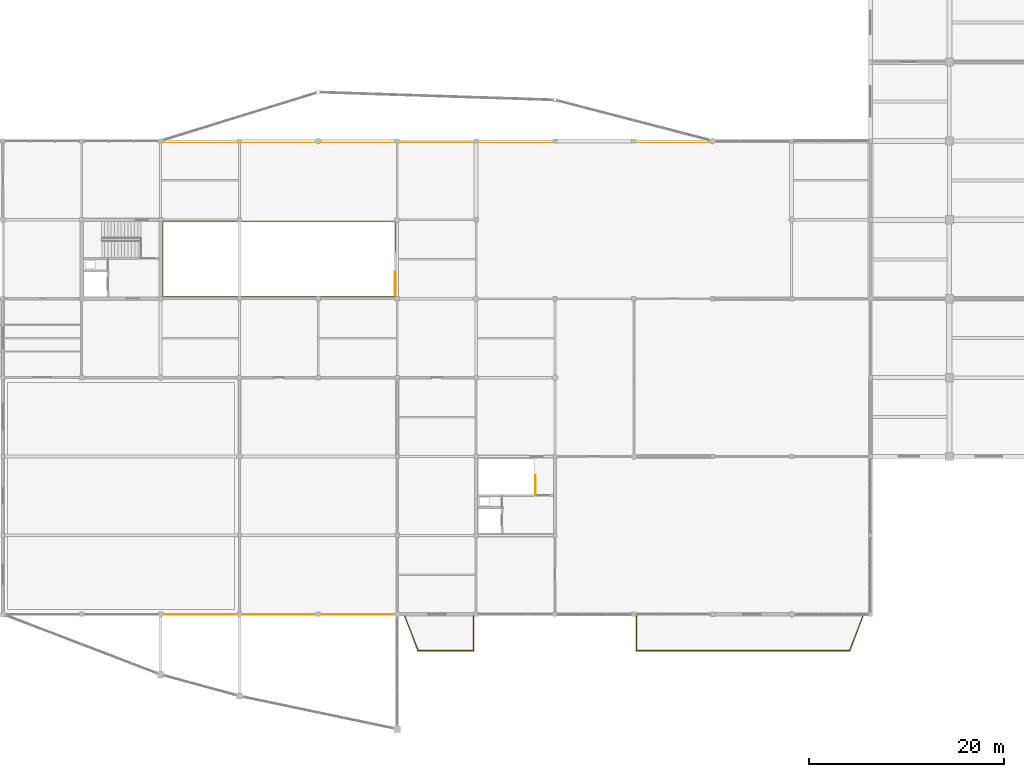
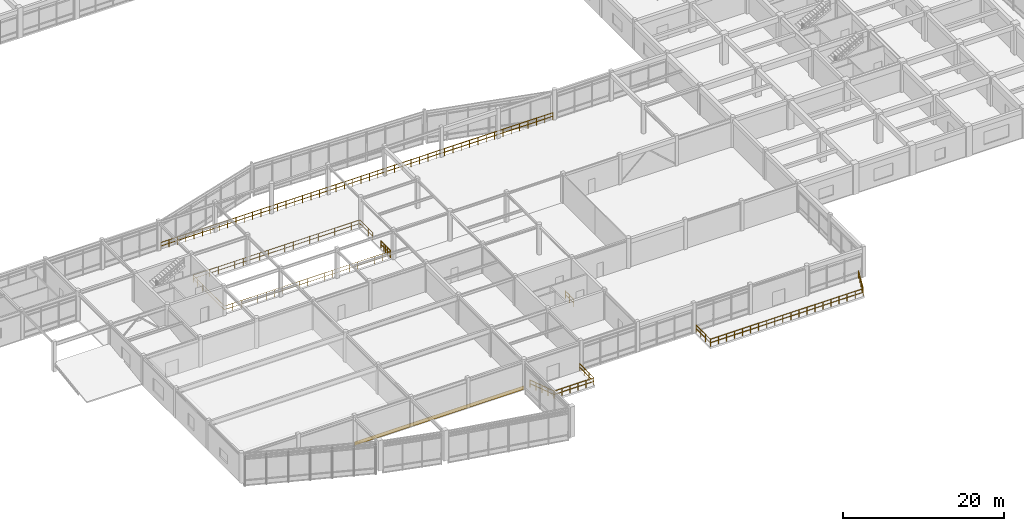
# One storey, part 86 of 93: 7 railings, 1 covering.
"""IFC4 building model written with IfcOpenShell, lengths in metres."""

from ifc_helpers import new_model, si_unit, direction, frame, origin, origin_2d, place, context, subcontext, project, spatial, rectangle, circle, extrude, material, layer, layer_set, type_object, element, save


model = new_model("IFC4")

# Units and contexts
model_context = context("Model", 3, precision=1e-05, world=origin(), true_north=direction((0.0, 1.0)))
body_context = subcontext(model_context, "Body", "Model", "MODEL_VIEW")
ifc_project = project(units=[si_unit("LENGTHUNIT", "METRE"), si_unit("AREAUNIT", "SQUARE_METRE"), si_unit("VOLUMEUNIT", "CUBIC_METRE"), si_unit("PLANEANGLEUNIT", "RADIAN"), si_unit("MASSUNIT", "GRAM", prefix="KILO")], contexts=[model_context])

# Site, building, storey
site_placement = place(None, origin())
site = spatial("IfcSite", under=ifc_project, at=site_placement, CompositionType="ELEMENT")
building_placement = place(site_placement, origin())
building = spatial("IfcBuilding", under=site, at=building_placement, Name="Vaudrelin Polytechnic", CompositionType="ELEMENT")
storey_placement = place(building_placement, frame((0.0, 0.0, 5.10009765625)))
storey = spatial("IfcBuildingStorey", under=building, at=storey_placement, Name="L01", CompositionType="ELEMENT", Elevation=5.10009765625)

# Covering
ifc_material_1 = material(Name="Pre-weathered quartz-zinc standing seam", Category="metal")
ifc_layer = layer(ifc_material_1, 0.044921875)
ifc_layer_set = layer_set([ifc_layer], Name="Pre-weathered quartz-zinc standing seam")
covering_type = type_object("IfcCoveringType", Name="ENV-CLD-ZNC", PredefinedType="CLADDING", material=ifc_layer_set)
covering_placement = place(storey_placement, frame((68.85009765625, -0.02001953125, -0.125), z_axis=(0.0, 0.0, 1.0), x_axis=(1.0, 0.0, 0.0)))
element("IfcCovering", 1, at=covering_placement, inside=storey, type_object=covering_type, Name="Standing-seam zinc fascia cladding CLD-02", PredefinedType="CLADDING", context=body_context, shape_type="SweptSolid", body=[
    extrude(rectangle(XDim=24.300048828125, YDim=0.044921875, at=origin_2d()), origin(), (0.0, 0.0, 1.0), 0.550048828125),
])

# Railings
ifc_material_2 = material(Name="Stainless steel AISI 316L", Category="steel")
railing_type_1 = type_object("IfcRailingType", Name="ENV-GR-TER", PredefinedType="GUARDRAIL", material=ifc_material_2)
railing_1_placement = place(storey_placement, frame((81.75, -0.14990234375, 0.0)))
element("IfcRailing", 2, at=railing_1_placement, inside=storey, type_object=railing_type_1, Name="Sculptural terrace guardrail GRD-GH-W2", PredefinedType="GUARDRAIL", context=body_context, shape_type="SweptSolid", body=[
    extrude(circle(Radius=0.02392578125, at=origin_2d()), frame((0.008544921875, -0.021484375, 1.09619140625), z_axis=(0.365059397768, -0.930984229781, 0.0), x_axis=(0.930984229781, 0.365059397768, 0.0)), (0.0, 0.0, 1.0), 3.78857421875),
    extrude(circle(Radius=0.02392578125, at=origin_2d()), frame((0.008544921875, -0.021484375, 0.56005859375), z_axis=(0.365059397768, -0.930984229781, 0.0), x_axis=(0.930984229781, 0.365059397768, 0.0)), (0.0, 0.0, 1.0), 3.78857421875),
    extrude(circle(Radius=0.02392578125, at=origin_2d()), frame((1.423095703125, -3.570068359375, 1.09619140625), z_axis=(1.0, 0.0, 0.0), x_axis=(0.0, 1.0, 0.0)), (0.0, 0.0, 1.0), 5.654052734375),
    extrude(circle(Radius=0.02392578125, at=origin_2d()), frame((1.423095703125, -3.570068359375, 0.56005859375), z_axis=(1.0, 0.0, 0.0), x_axis=(0.0, 1.0, 0.0)), (0.0, 0.0, 1.0), 5.654052734375),
    extrude(circle(Radius=0.02392578125, at=origin_2d()), frame((7.10009765625, -3.546875, 1.09619140625), z_axis=(0.0, 1.0, 0.0), x_axis=(-1.0, 0.0, 0.0)), (0.0, 0.0, 1.0), 3.52392578125),
    extrude(circle(Radius=0.02392578125, at=origin_2d()), frame((7.10009765625, -3.546875, 0.56005859375), z_axis=(0.0, 1.0, 0.0), x_axis=(-1.0, 0.0, 0.0)), (0.0, 0.0, 1.0), 3.52392578125),
    extrude(circle(Radius=0.02099609375, at=origin_2d()), origin(), (0.0, 0.0, 1.0), 1.1201171875),
    extrude(circle(Radius=0.02099609375, at=origin_2d()), frame((0.35009765625, -0.892578125, 0.0)), (0.0, 0.0, 1.0), 1.1201171875),
    extrude(circle(Radius=0.02099609375, at=origin_2d()), frame((0.699951171875, -1.78515625, 0.0)), (0.0, 0.0, 1.0), 1.1201171875),
    extrude(circle(Radius=0.02099609375, at=origin_2d()), frame((1.0498046875, -2.677490234375, 0.0)), (0.0, 0.0, 1.0), 1.1201171875),
    extrude(circle(Radius=0.02099609375, at=origin_2d()), frame((1.39990234375, -3.570068359375, 0.0)), (0.0, 0.0, 1.0), 1.1201171875),
    extrude(circle(Radius=0.02099609375, at=origin_2d()), frame((2.5400390625, -3.570068359375, 0.0)), (0.0, 0.0, 1.0), 1.1201171875),
    extrude(circle(Radius=0.02099609375, at=origin_2d()), frame((3.679931640625, -3.570068359375, 0.0)), (0.0, 0.0, 1.0), 1.1201171875),
    extrude(circle(Radius=0.02099609375, at=origin_2d()), frame((4.820068359375, -3.570068359375, 0.0)), (0.0, 0.0, 1.0), 1.1201171875),
    extrude(circle(Radius=0.02099609375, at=origin_2d()), frame((5.9599609375, -3.570068359375, 0.0)), (0.0, 0.0, 1.0), 1.1201171875),
    extrude(circle(Radius=0.02099609375, at=origin_2d()), frame((7.10009765625, -3.570068359375, 0.0)), (0.0, 0.0, 1.0), 1.1201171875),
    extrude(circle(Radius=0.02099609375, at=origin_2d()), frame((7.10009765625, -2.380126953125, 0.0)), (0.0, 0.0, 1.0), 1.1201171875),
    extrude(circle(Radius=0.02099609375, at=origin_2d()), frame((7.10009765625, -1.18994140625, 0.0)), (0.0, 0.0, 1.0), 1.1201171875),
    extrude(circle(Radius=0.02099609375, at=origin_2d()), frame((7.10009765625, 0.0, 0.0)), (0.0, 0.0, 1.0), 1.1201171875),
])
railing_2_placement = place(storey_placement, frame((105.550048828125, -0.14990234375, 0.0)))
element("IfcRailing", 3, at=railing_2_placement, inside=storey, type_object=railing_type_1, Name="Sculptural terrace guardrail GRD-GH-E2", PredefinedType="GUARDRAIL", context=body_context, shape_type="SweptSolid", body=[
    extrude(circle(Radius=0.02392578125, at=origin_2d()), frame((0.0, -0.023193359375, 1.09619140625), z_axis=(0.0, -1.0, 0.0), x_axis=(1.0, 0.0, 0.0)), (0.0, 0.0, 1.0), 3.52392578125),
    extrude(circle(Radius=0.02392578125, at=origin_2d()), frame((0.0, -0.023193359375, 0.56005859375), z_axis=(0.0, -1.0, 0.0), x_axis=(1.0, 0.0, 0.0)), (0.0, 0.0, 1.0), 3.52392578125),
    extrude(circle(Radius=0.02392578125, at=origin_2d()), frame((0.023193359375, -3.570068359375, 1.09619140625), z_axis=(1.0, 0.0, 0.0), x_axis=(0.0, 1.0, 0.0)), (0.0, 0.0, 1.0), 21.853759765625),
    extrude(circle(Radius=0.02392578125, at=origin_2d()), frame((0.023193359375, -3.570068359375, 0.56005859375), z_axis=(1.0, 0.0, 0.0), x_axis=(0.0, 1.0, 0.0)), (0.0, 0.0, 1.0), 21.853759765625),
    extrude(circle(Radius=0.02392578125, at=origin_2d()), frame((21.908447265625, -3.548583984375, 1.09619140625), z_axis=(0.365114576962, 0.930962590919, 0.0), x_axis=(-0.930962590919, 0.365114576962, 0.0)), (0.0, 0.0, 1.0), 3.78857421875),
    extrude(circle(Radius=0.02392578125, at=origin_2d()), frame((21.908447265625, -3.548583984375, 0.56005859375), z_axis=(0.365114576962, 0.930962590919, 0.0), x_axis=(-0.930962590919, 0.365114576962, 0.0)), (0.0, 0.0, 1.0), 3.78857421875),
    extrude(circle(Radius=0.02099609375, at=origin_2d()), origin(), (0.0, 0.0, 1.0), 1.1201171875),
    extrude(circle(Radius=0.02099609375, at=origin_2d()), frame((0.0, -1.18994140625, 0.0)), (0.0, 0.0, 1.0), 1.1201171875),
    extrude(circle(Radius=0.02099609375, at=origin_2d()), frame((0.0, -2.380126953125, 0.0)), (0.0, 0.0, 1.0), 1.1201171875),
    extrude(circle(Radius=0.02099609375, at=origin_2d()), frame((0.0, -3.570068359375, 0.0)), (0.0, 0.0, 1.0), 1.1201171875),
    extrude(circle(Radius=0.02099609375, at=origin_2d()), frame((1.152587890625, -3.570068359375, 0.0)), (0.0, 0.0, 1.0), 1.1201171875),
    extrude(circle(Radius=0.02099609375, at=origin_2d()), frame((2.30517578125, -3.570068359375, 0.0)), (0.0, 0.0, 1.0), 1.1201171875),
    extrude(circle(Radius=0.02099609375, at=origin_2d()), frame((3.457763671875, -3.570068359375, 0.0)), (0.0, 0.0, 1.0), 1.1201171875),
    extrude(circle(Radius=0.02099609375, at=origin_2d()), frame((4.610595703125, -3.570068359375, 0.0)), (0.0, 0.0, 1.0), 1.1201171875),
    extrude(circle(Radius=0.02099609375, at=origin_2d()), frame((5.76318359375, -3.570068359375, 0.0)), (0.0, 0.0, 1.0), 1.1201171875),
    extrude(circle(Radius=0.02099609375, at=origin_2d()), frame((6.915771484375, -3.570068359375, 0.0)), (0.0, 0.0, 1.0), 1.1201171875),
    extrude(circle(Radius=0.02099609375, at=origin_2d()), frame((8.068359375, -3.570068359375, 0.0)), (0.0, 0.0, 1.0), 1.1201171875),
    extrude(circle(Radius=0.02099609375, at=origin_2d()), frame((9.220947265625, -3.570068359375, 0.0)), (0.0, 0.0, 1.0), 1.1201171875),
    extrude(circle(Radius=0.02099609375, at=origin_2d()), frame((10.37353515625, -3.570068359375, 0.0)), (0.0, 0.0, 1.0), 1.1201171875),
    extrude(circle(Radius=0.02099609375, at=origin_2d()), frame((11.5263671875, -3.570068359375, 0.0)), (0.0, 0.0, 1.0), 1.1201171875),
    extrude(circle(Radius=0.02099609375, at=origin_2d()), frame((12.678955078125, -3.570068359375, 0.0)), (0.0, 0.0, 1.0), 1.1201171875),
    extrude(circle(Radius=0.02099609375, at=origin_2d()), frame((13.83154296875, -3.570068359375, 0.0)), (0.0, 0.0, 1.0), 1.1201171875),
    extrude(circle(Radius=0.02099609375, at=origin_2d()), frame((14.984130859375, -3.570068359375, 0.0)), (0.0, 0.0, 1.0), 1.1201171875),
    extrude(circle(Radius=0.02099609375, at=origin_2d()), frame((16.13671875, -3.570068359375, 0.0)), (0.0, 0.0, 1.0), 1.1201171875),
    extrude(circle(Radius=0.02099609375, at=origin_2d()), frame((17.289306640625, -3.570068359375, 0.0)), (0.0, 0.0, 1.0), 1.1201171875),
    extrude(circle(Radius=0.02099609375, at=origin_2d()), frame((18.442138671875, -3.570068359375, 0.0)), (0.0, 0.0, 1.0), 1.1201171875),
    extrude(circle(Radius=0.02099609375, at=origin_2d()), frame((19.5947265625, -3.570068359375, 0.0)), (0.0, 0.0, 1.0), 1.1201171875),
    extrude(circle(Radius=0.02099609375, at=origin_2d()), frame((20.747314453125, -3.570068359375, 0.0)), (0.0, 0.0, 1.0), 1.1201171875),
    extrude(circle(Radius=0.02099609375, at=origin_2d()), frame((21.89990234375, -3.570068359375, 0.0)), (0.0, 0.0, 1.0), 1.1201171875),
    extrude(circle(Radius=0.02099609375, at=origin_2d()), frame((22.25, -2.677490234375, 0.0)), (0.0, 0.0, 1.0), 1.1201171875),
    extrude(circle(Radius=0.02099609375, at=origin_2d()), frame((22.60009765625, -1.78515625, 0.0)), (0.0, 0.0, 1.0), 1.1201171875),
    extrude(circle(Radius=0.02099609375, at=origin_2d()), frame((22.949951171875, -0.892578125, 0.0)), (0.0, 0.0, 1.0), 1.1201171875),
    extrude(circle(Radius=0.02099609375, at=origin_2d()), frame((23.300048828125, 0.0, 0.0)), (0.0, 0.0, 1.0), 1.1201171875),
])
ifc_material_3 = material(Name="Brushed stainless steel AISI 304", Category="steel")
railing_type_2 = type_object("IfcRailingType", Name="RAL-GR-INT", PredefinedType="GUARDRAIL", material=ifc_material_3)
railing_3_placement = place(storey_placement, frame((95.179931640625, 12.2099609375, 0.0)))
element("IfcRailing", 4, at=railing_3_placement, inside=storey, type_object=railing_type_2, Name="ST-05-L00 upper well guardrail", PredefinedType="GUARDRAIL", context=body_context, shape_type="SweptSolid", body=[
    extrude(circle(Radius=0.02392578125, at=origin_2d()), frame((0.0, 0.023193359375, 1.09619140625), z_axis=(0.0, 1.0, 0.0), x_axis=(-1.0, 0.0, 0.0)), (0.0, 0.0, 1.0), 2.02392578125),
    extrude(circle(Radius=0.02392578125, at=origin_2d()), frame((0.0, 0.023193359375, 0.56005859375), z_axis=(0.0, 1.0, 0.0), x_axis=(-1.0, 0.0, 0.0)), (0.0, 0.0, 1.0), 2.02392578125),
    extrude(circle(Radius=0.02099609375, at=origin_2d()), origin(), (0.0, 0.0, 1.0), 1.1201171875),
    extrude(circle(Radius=0.02099609375, at=origin_2d()), frame((0.0, 1.03515625, 0.0)), (0.0, 0.0, 1.0), 1.1201171875),
    extrude(circle(Radius=0.02099609375, at=origin_2d()), frame((0.0, 2.070068359375, 0.0)), (0.0, 0.0, 1.0), 1.1201171875),
])
railing_4_placement = place(storey_placement, frame((80.820068359375, 32.89990234375, 0.0)))
element("IfcRailing", 5, at=railing_4_placement, inside=storey, type_object=railing_type_2, Name="ST-WG1 upper well guardrail", PredefinedType="GUARDRAIL", context=body_context, shape_type="SweptSolid", body=[
    extrude(circle(Radius=0.02392578125, at=origin_2d()), frame((0.0, 0.023193359375, 1.09619140625), z_axis=(0.0, 1.0, 0.0), x_axis=(-1.0, 0.0, 0.0)), (0.0, 0.0, 1.0), 2.203857421875),
    extrude(circle(Radius=0.02392578125, at=origin_2d()), frame((0.0, 0.023193359375, 0.56005859375), z_axis=(0.0, 1.0, 0.0), x_axis=(-1.0, 0.0, 0.0)), (0.0, 0.0, 1.0), 2.203857421875),
    extrude(circle(Radius=0.02099609375, at=origin_2d()), origin(), (0.0, 0.0, 1.0), 1.1201171875),
    extrude(circle(Radius=0.02099609375, at=origin_2d()), frame((0.0, 1.125, 0.0)), (0.0, 0.0, 1.0), 1.1201171875),
    extrude(circle(Radius=0.02099609375, at=origin_2d()), frame((0.0, 2.25, 0.0)), (0.0, 0.0, 1.0), 1.1201171875),
])
railing_5_placement = place(storey_placement, frame((80.780029296875, 32.6201171875, 0.0)))
element("IfcRailing", 6, at=railing_5_placement, inside=storey, type_object=railing_type_2, Name="Interior atrium guardrail L01 SWN", PredefinedType="GUARDRAIL", context=body_context, shape_type="SweptSolid", body=[
    extrude(circle(Radius=0.02392578125, at=origin_2d()), frame((-0.023193359375, 0.0, 1.09619140625), z_axis=(-1.0, 0.0, 0.0), x_axis=(0.0, -1.0, 0.0)), (0.0, 0.0, 1.0), 23.81396484375),
    extrude(circle(Radius=0.02392578125, at=origin_2d()), frame((-0.023193359375, 0.0, 0.56005859375), z_axis=(-1.0, 0.0, 0.0), x_axis=(0.0, -1.0, 0.0)), (0.0, 0.0, 1.0), 23.81396484375),
    extrude(circle(Radius=0.02392578125, at=origin_2d()), frame((-23.860107421875, 0.023193359375, 1.09619140625), z_axis=(0.0, 1.0, 0.0), x_axis=(-1.0, 0.0, 0.0)), (0.0, 0.0, 1.0), 7.713623046875),
    extrude(circle(Radius=0.02392578125, at=origin_2d()), frame((-23.860107421875, 0.023193359375, 0.56005859375), z_axis=(0.0, 1.0, 0.0), x_axis=(-1.0, 0.0, 0.0)), (0.0, 0.0, 1.0), 7.713623046875),
    extrude(circle(Radius=0.02392578125, at=origin_2d()), frame((-23.8369140625, 7.759765625, 1.09619140625), z_axis=(1.0, 0.0, 0.0), x_axis=(0.0, 1.0, 0.0)), (0.0, 0.0, 1.0), 23.81396484375),
    extrude(circle(Radius=0.02392578125, at=origin_2d()), frame((-23.8369140625, 7.759765625, 0.56005859375), z_axis=(1.0, 0.0, 0.0), x_axis=(0.0, 1.0, 0.0)), (0.0, 0.0, 1.0), 23.81396484375),
    extrude(circle(Radius=0.02392578125, at=origin_2d()), frame((0.0, 7.736572265625, 1.09619140625), z_axis=(0.0, -1.0, 0.0), x_axis=(1.0, 0.0, 0.0)), (0.0, 0.0, 1.0), 3.183837890625),
    extrude(circle(Radius=0.02392578125, at=origin_2d()), frame((0.0, 7.736572265625, 0.56005859375), z_axis=(0.0, -1.0, 0.0), x_axis=(1.0, 0.0, 0.0)), (0.0, 0.0, 1.0), 3.183837890625),
    extrude(circle(Radius=0.02099609375, at=origin_2d()), origin(), (0.0, 0.0, 1.0), 1.1201171875),
    extrude(circle(Radius=0.02099609375, at=origin_2d()), frame((-1.193115234375, 0.0, 0.0)), (0.0, 0.0, 1.0), 1.1201171875),
    extrude(circle(Radius=0.02099609375, at=origin_2d()), frame((-2.385986328125, 0.0, 0.0)), (0.0, 0.0, 1.0), 1.1201171875),
    extrude(circle(Radius=0.02099609375, at=origin_2d()), frame((-3.5791015625, 0.0, 0.0)), (0.0, 0.0, 1.0), 1.1201171875),
    extrude(circle(Radius=0.02099609375, at=origin_2d()), frame((-4.77197265625, 0.0, 0.0)), (0.0, 0.0, 1.0), 1.1201171875),
    extrude(circle(Radius=0.02099609375, at=origin_2d()), frame((-5.965087890625, 0.0, 0.0)), (0.0, 0.0, 1.0), 1.1201171875),
    extrude(circle(Radius=0.02099609375, at=origin_2d()), frame((-7.157958984375, 0.0, 0.0)), (0.0, 0.0, 1.0), 1.1201171875),
    extrude(circle(Radius=0.02099609375, at=origin_2d()), frame((-8.35107421875, 0.0, 0.0)), (0.0, 0.0, 1.0), 1.1201171875),
    extrude(circle(Radius=0.02099609375, at=origin_2d()), frame((-9.5439453125, 0.0, 0.0)), (0.0, 0.0, 1.0), 1.1201171875),
    extrude(circle(Radius=0.02099609375, at=origin_2d()), frame((-10.737060546875, 0.0, 0.0)), (0.0, 0.0, 1.0), 1.1201171875),
    extrude(circle(Radius=0.02099609375, at=origin_2d()), frame((-11.93017578125, 0.0, 0.0)), (0.0, 0.0, 1.0), 1.1201171875),
    extrude(circle(Radius=0.02099609375, at=origin_2d()), frame((-13.123046875, 0.0, 0.0)), (0.0, 0.0, 1.0), 1.1201171875),
    extrude(circle(Radius=0.02099609375, at=origin_2d()), frame((-14.316162109375, 0.0, 0.0)), (0.0, 0.0, 1.0), 1.1201171875),
    extrude(circle(Radius=0.02099609375, at=origin_2d()), frame((-15.509033203125, 0.0, 0.0)), (0.0, 0.0, 1.0), 1.1201171875),
    extrude(circle(Radius=0.02099609375, at=origin_2d()), frame((-16.7021484375, 0.0, 0.0)), (0.0, 0.0, 1.0), 1.1201171875),
    extrude(circle(Radius=0.02099609375, at=origin_2d()), frame((-17.89501953125, 0.0, 0.0)), (0.0, 0.0, 1.0), 1.1201171875),
    extrude(circle(Radius=0.02099609375, at=origin_2d()), frame((-19.088134765625, 0.0, 0.0)), (0.0, 0.0, 1.0), 1.1201171875),
    extrude(circle(Radius=0.02099609375, at=origin_2d()), frame((-20.281005859375, 0.0, 0.0)), (0.0, 0.0, 1.0), 1.1201171875),
    extrude(circle(Radius=0.02099609375, at=origin_2d()), frame((-21.47412109375, 0.0, 0.0)), (0.0, 0.0, 1.0), 1.1201171875),
    extrude(circle(Radius=0.02099609375, at=origin_2d()), frame((-22.6669921875, 0.0, 0.0)), (0.0, 0.0, 1.0), 1.1201171875),
    extrude(circle(Radius=0.02099609375, at=origin_2d()), frame((-23.860107421875, 0.0, 0.0)), (0.0, 0.0, 1.0), 1.1201171875),
    extrude(circle(Radius=0.02099609375, at=origin_2d()), frame((-23.860107421875, 1.108642578125, 0.0)), (0.0, 0.0, 1.0), 1.1201171875),
    extrude(circle(Radius=0.02099609375, at=origin_2d()), frame((-23.860107421875, 2.217041015625, 0.0)), (0.0, 0.0, 1.0), 1.1201171875),
    extrude(circle(Radius=0.02099609375, at=origin_2d()), frame((-23.860107421875, 3.32568359375, 0.0)), (0.0, 0.0, 1.0), 1.1201171875),
    extrude(circle(Radius=0.02099609375, at=origin_2d()), frame((-23.860107421875, 4.43408203125, 0.0)), (0.0, 0.0, 1.0), 1.1201171875),
    extrude(circle(Radius=0.02099609375, at=origin_2d()), frame((-23.860107421875, 5.542724609375, 0.0)), (0.0, 0.0, 1.0), 1.1201171875),
    extrude(circle(Radius=0.02099609375, at=origin_2d()), frame((-23.860107421875, 6.651123046875, 0.0)), (0.0, 0.0, 1.0), 1.1201171875),
    extrude(circle(Radius=0.02099609375, at=origin_2d()), frame((-23.860107421875, 7.759765625, 0.0)), (0.0, 0.0, 1.0), 1.1201171875),
    extrude(circle(Radius=0.02099609375, at=origin_2d()), frame((-22.6669921875, 7.759765625, 0.0)), (0.0, 0.0, 1.0), 1.1201171875),
    extrude(circle(Radius=0.02099609375, at=origin_2d()), frame((-21.47412109375, 7.759765625, 0.0)), (0.0, 0.0, 1.0), 1.1201171875),
    extrude(circle(Radius=0.02099609375, at=origin_2d()), frame((-20.281005859375, 7.759765625, 0.0)), (0.0, 0.0, 1.0), 1.1201171875),
    extrude(circle(Radius=0.02099609375, at=origin_2d()), frame((-19.088134765625, 7.759765625, 0.0)), (0.0, 0.0, 1.0), 1.1201171875),
    extrude(circle(Radius=0.02099609375, at=origin_2d()), frame((-17.89501953125, 7.759765625, 0.0)), (0.0, 0.0, 1.0), 1.1201171875),
    extrude(circle(Radius=0.02099609375, at=origin_2d()), frame((-16.7021484375, 7.759765625, 0.0)), (0.0, 0.0, 1.0), 1.1201171875),
    extrude(circle(Radius=0.02099609375, at=origin_2d()), frame((-15.509033203125, 7.759765625, 0.0)), (0.0, 0.0, 1.0), 1.1201171875),
    extrude(circle(Radius=0.02099609375, at=origin_2d()), frame((-14.316162109375, 7.759765625, 0.0)), (0.0, 0.0, 1.0), 1.1201171875),
    extrude(circle(Radius=0.02099609375, at=origin_2d()), frame((-13.123046875, 7.759765625, 0.0)), (0.0, 0.0, 1.0), 1.1201171875),
    extrude(circle(Radius=0.02099609375, at=origin_2d()), frame((-11.93017578125, 7.759765625, 0.0)), (0.0, 0.0, 1.0), 1.1201171875),
    extrude(circle(Radius=0.02099609375, at=origin_2d()), frame((-10.737060546875, 7.759765625, 0.0)), (0.0, 0.0, 1.0), 1.1201171875),
    extrude(circle(Radius=0.02099609375, at=origin_2d()), frame((-9.5439453125, 7.759765625, 0.0)), (0.0, 0.0, 1.0), 1.1201171875),
    extrude(circle(Radius=0.02099609375, at=origin_2d()), frame((-8.35107421875, 7.759765625, 0.0)), (0.0, 0.0, 1.0), 1.1201171875),
    extrude(circle(Radius=0.02099609375, at=origin_2d()), frame((-7.157958984375, 7.759765625, 0.0)), (0.0, 0.0, 1.0), 1.1201171875),
    extrude(circle(Radius=0.02099609375, at=origin_2d()), frame((-5.965087890625, 7.759765625, 0.0)), (0.0, 0.0, 1.0), 1.1201171875),
    extrude(circle(Radius=0.02099609375, at=origin_2d()), frame((-4.77197265625, 7.759765625, 0.0)), (0.0, 0.0, 1.0), 1.1201171875),
    extrude(circle(Radius=0.02099609375, at=origin_2d()), frame((-3.5791015625, 7.759765625, 0.0)), (0.0, 0.0, 1.0), 1.1201171875),
    extrude(circle(Radius=0.02099609375, at=origin_2d()), frame((-2.385986328125, 7.759765625, 0.0)), (0.0, 0.0, 1.0), 1.1201171875),
    extrude(circle(Radius=0.02099609375, at=origin_2d()), frame((-1.193115234375, 7.759765625, 0.0)), (0.0, 0.0, 1.0), 1.1201171875),
    extrude(circle(Radius=0.02099609375, at=origin_2d()), frame((0.0, 7.759765625, 0.0)), (0.0, 0.0, 1.0), 1.1201171875),
    extrude(circle(Radius=0.02099609375, at=origin_2d()), frame((0.0, 6.68310546875, 0.0)), (0.0, 0.0, 1.0), 1.1201171875),
    extrude(circle(Radius=0.02099609375, at=origin_2d()), frame((0.0, 5.6064453125, 0.0)), (0.0, 0.0, 1.0), 1.1201171875),
    extrude(circle(Radius=0.02099609375, at=origin_2d()), frame((0.0, 4.52978515625, 0.0)), (0.0, 0.0, 1.0), 1.1201171875),
])
railing_6_placement = place(storey_placement, frame((80.780029296875, 32.719970703125, 0.0)))
element("IfcRailing", 7, at=railing_6_placement, inside=storey, type_object=railing_type_2, Name="Interior atrium guardrail L01 E", PredefinedType="GUARDRAIL", context=body_context, shape_type="SweptSolid", body=[
    extrude(circle(Radius=0.02392578125, at=origin_2d()), frame((0.0, 0.023193359375, 1.09619140625), z_axis=(0.0, 1.0, 0.0), x_axis=(-1.0, 0.0, 0.0)), (0.0, 0.0, 1.0), 2.3837890625),
    extrude(circle(Radius=0.02392578125, at=origin_2d()), frame((0.0, 0.023193359375, 0.56005859375), z_axis=(0.0, 1.0, 0.0), x_axis=(-1.0, 0.0, 0.0)), (0.0, 0.0, 1.0), 2.3837890625),
    extrude(circle(Radius=0.02099609375, at=origin_2d()), origin(), (0.0, 0.0, 1.0), 1.1201171875),
    extrude(circle(Radius=0.02099609375, at=origin_2d()), frame((0.0, 0.81005859375, 0.0)), (0.0, 0.0, 1.0), 1.1201171875),
    extrude(circle(Radius=0.02099609375, at=origin_2d()), frame((0.0, 1.619873046875, 0.0)), (0.0, 0.0, 1.0), 1.1201171875),
    extrude(circle(Radius=0.02099609375, at=origin_2d()), frame((0.0, 2.429931640625, 0.0)), (0.0, 0.0, 1.0), 1.1201171875),
])
railing_7_placement = place(storey_placement, frame((56.949951171875, 48.47998046875, 0.0)))
element("IfcRailing", 8, at=railing_7_placement, inside=storey, type_object=railing_type_2, Name="Courtyard exhibition pod upper gallery guardrail L01", PredefinedType="GUARDRAIL", context=body_context, shape_type="SweptSolid", body=[
    extrude(circle(Radius=0.02392578125, at=origin_2d()), frame((0.023193359375, 0.0, 1.09619140625), z_axis=(1.0, 0.0, 0.0), x_axis=(0.0, 1.0, 0.0)), (0.0, 0.0, 1.0), 56.15380859375),
    extrude(circle(Radius=0.02392578125, at=origin_2d()), frame((0.023193359375, 0.0, 0.56005859375), z_axis=(1.0, 0.0, 0.0), x_axis=(0.0, 1.0, 0.0)), (0.0, 0.0, 1.0), 56.15380859375),
    extrude(circle(Radius=0.02099609375, at=origin_2d()), origin(), (0.0, 0.0, 1.0), 1.1201171875),
    extrude(circle(Radius=0.02099609375, at=origin_2d()), frame((1.19580078125, 0.0, 0.0)), (0.0, 0.0, 1.0), 1.1201171875),
    extrude(circle(Radius=0.02099609375, at=origin_2d()), frame((2.3916015625, 0.0, 0.0)), (0.0, 0.0, 1.0), 1.1201171875),
    extrude(circle(Radius=0.02099609375, at=origin_2d()), frame((3.587158203125, 0.0, 0.0)), (0.0, 0.0, 1.0), 1.1201171875),
    extrude(circle(Radius=0.02099609375, at=origin_2d()), frame((4.782958984375, 0.0, 0.0)), (0.0, 0.0, 1.0), 1.1201171875),
    extrude(circle(Radius=0.02099609375, at=origin_2d()), frame((5.978759765625, 0.0, 0.0)), (0.0, 0.0, 1.0), 1.1201171875),
    extrude(circle(Radius=0.02099609375, at=origin_2d()), frame((7.174560546875, 0.0, 0.0)), (0.0, 0.0, 1.0), 1.1201171875),
    extrude(circle(Radius=0.02099609375, at=origin_2d()), frame((8.3701171875, 0.0, 0.0)), (0.0, 0.0, 1.0), 1.1201171875),
    extrude(circle(Radius=0.02099609375, at=origin_2d()), frame((9.56591796875, 0.0, 0.0)), (0.0, 0.0, 1.0), 1.1201171875),
    extrude(circle(Radius=0.02099609375, at=origin_2d()), frame((10.76171875, 0.0, 0.0)), (0.0, 0.0, 1.0), 1.1201171875),
    extrude(circle(Radius=0.02099609375, at=origin_2d()), frame((11.95751953125, 0.0, 0.0)), (0.0, 0.0, 1.0), 1.1201171875),
    extrude(circle(Radius=0.02099609375, at=origin_2d()), frame((13.153076171875, 0.0, 0.0)), (0.0, 0.0, 1.0), 1.1201171875),
    extrude(circle(Radius=0.02099609375, at=origin_2d()), frame((14.348876953125, 0.0, 0.0)), (0.0, 0.0, 1.0), 1.1201171875),
    extrude(circle(Radius=0.02099609375, at=origin_2d()), frame((15.544677734375, 0.0, 0.0)), (0.0, 0.0, 1.0), 1.1201171875),
    extrude(circle(Radius=0.02099609375, at=origin_2d()), frame((16.740478515625, 0.0, 0.0)), (0.0, 0.0, 1.0), 1.1201171875),
    extrude(circle(Radius=0.02099609375, at=origin_2d()), frame((17.93603515625, 0.0, 0.0)), (0.0, 0.0, 1.0), 1.1201171875),
    extrude(circle(Radius=0.02099609375, at=origin_2d()), frame((19.1318359375, 0.0, 0.0)), (0.0, 0.0, 1.0), 1.1201171875),
    extrude(circle(Radius=0.02099609375, at=origin_2d()), frame((20.32763671875, 0.0, 0.0)), (0.0, 0.0, 1.0), 1.1201171875),
    extrude(circle(Radius=0.02099609375, at=origin_2d()), frame((21.5234375, 0.0, 0.0)), (0.0, 0.0, 1.0), 1.1201171875),
    extrude(circle(Radius=0.02099609375, at=origin_2d()), frame((22.71923828125, 0.0, 0.0)), (0.0, 0.0, 1.0), 1.1201171875),
    extrude(circle(Radius=0.02099609375, at=origin_2d()), frame((23.914794921875, 0.0, 0.0)), (0.0, 0.0, 1.0), 1.1201171875),
    extrude(circle(Radius=0.02099609375, at=origin_2d()), frame((25.110595703125, 0.0, 0.0)), (0.0, 0.0, 1.0), 1.1201171875),
    extrude(circle(Radius=0.02099609375, at=origin_2d()), frame((26.306396484375, 0.0, 0.0)), (0.0, 0.0, 1.0), 1.1201171875),
    extrude(circle(Radius=0.02099609375, at=origin_2d()), frame((27.502197265625, 0.0, 0.0)), (0.0, 0.0, 1.0), 1.1201171875),
    extrude(circle(Radius=0.02099609375, at=origin_2d()), frame((28.69775390625, 0.0, 0.0)), (0.0, 0.0, 1.0), 1.1201171875),
    extrude(circle(Radius=0.02099609375, at=origin_2d()), frame((29.8935546875, 0.0, 0.0)), (0.0, 0.0, 1.0), 1.1201171875),
    extrude(circle(Radius=0.02099609375, at=origin_2d()), frame((31.08935546875, 0.0, 0.0)), (0.0, 0.0, 1.0), 1.1201171875),
    extrude(circle(Radius=0.02099609375, at=origin_2d()), frame((32.28515625, 0.0, 0.0)), (0.0, 0.0, 1.0), 1.1201171875),
    extrude(circle(Radius=0.02099609375, at=origin_2d()), frame((33.480712890625, 0.0, 0.0)), (0.0, 0.0, 1.0), 1.1201171875),
    extrude(circle(Radius=0.02099609375, at=origin_2d()), frame((34.676513671875, 0.0, 0.0)), (0.0, 0.0, 1.0), 1.1201171875),
    extrude(circle(Radius=0.02099609375, at=origin_2d()), frame((35.872314453125, 0.0, 0.0)), (0.0, 0.0, 1.0), 1.1201171875),
    extrude(circle(Radius=0.02099609375, at=origin_2d()), frame((37.068115234375, 0.0, 0.0)), (0.0, 0.0, 1.0), 1.1201171875),
    extrude(circle(Radius=0.02099609375, at=origin_2d()), frame((38.263916015625, 0.0, 0.0)), (0.0, 0.0, 1.0), 1.1201171875),
    extrude(circle(Radius=0.02099609375, at=origin_2d()), frame((39.45947265625, 0.0, 0.0)), (0.0, 0.0, 1.0), 1.1201171875),
    extrude(circle(Radius=0.02099609375, at=origin_2d()), frame((40.6552734375, 0.0, 0.0)), (0.0, 0.0, 1.0), 1.1201171875),
    extrude(circle(Radius=0.02099609375, at=origin_2d()), frame((41.85107421875, 0.0, 0.0)), (0.0, 0.0, 1.0), 1.1201171875),
    extrude(circle(Radius=0.02099609375, at=origin_2d()), frame((43.046875, 0.0, 0.0)), (0.0, 0.0, 1.0), 1.1201171875),
    extrude(circle(Radius=0.02099609375, at=origin_2d()), frame((44.242431640625, 0.0, 0.0)), (0.0, 0.0, 1.0), 1.1201171875),
    extrude(circle(Radius=0.02099609375, at=origin_2d()), frame((45.438232421875, 0.0, 0.0)), (0.0, 0.0, 1.0), 1.1201171875),
    extrude(circle(Radius=0.02099609375, at=origin_2d()), frame((46.634033203125, 0.0, 0.0)), (0.0, 0.0, 1.0), 1.1201171875),
    extrude(circle(Radius=0.02099609375, at=origin_2d()), frame((47.829833984375, 0.0, 0.0)), (0.0, 0.0, 1.0), 1.1201171875),
    extrude(circle(Radius=0.02099609375, at=origin_2d()), frame((49.025390625, 0.0, 0.0)), (0.0, 0.0, 1.0), 1.1201171875),
    extrude(circle(Radius=0.02099609375, at=origin_2d()), frame((50.22119140625, 0.0, 0.0)), (0.0, 0.0, 1.0), 1.1201171875),
    extrude(circle(Radius=0.02099609375, at=origin_2d()), frame((51.4169921875, 0.0, 0.0)), (0.0, 0.0, 1.0), 1.1201171875),
    extrude(circle(Radius=0.02099609375, at=origin_2d()), frame((52.61279296875, 0.0, 0.0)), (0.0, 0.0, 1.0), 1.1201171875),
    extrude(circle(Radius=0.02099609375, at=origin_2d()), frame((53.808349609375, 0.0, 0.0)), (0.0, 0.0, 1.0), 1.1201171875),
    extrude(circle(Radius=0.02099609375, at=origin_2d()), frame((55.004150390625, 0.0, 0.0)), (0.0, 0.0, 1.0), 1.1201171875),
    extrude(circle(Radius=0.02099609375, at=origin_2d()), frame((56.199951171875, 0.0, 0.0)), (0.0, 0.0, 1.0), 1.1201171875),
])

save(model, "model.ifc")
